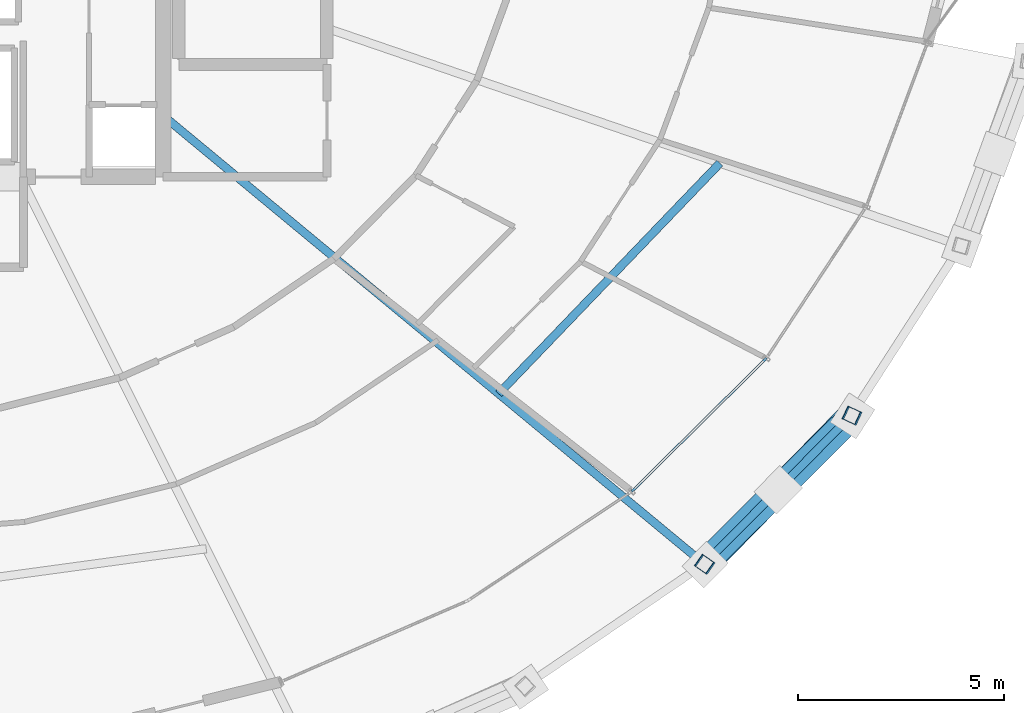
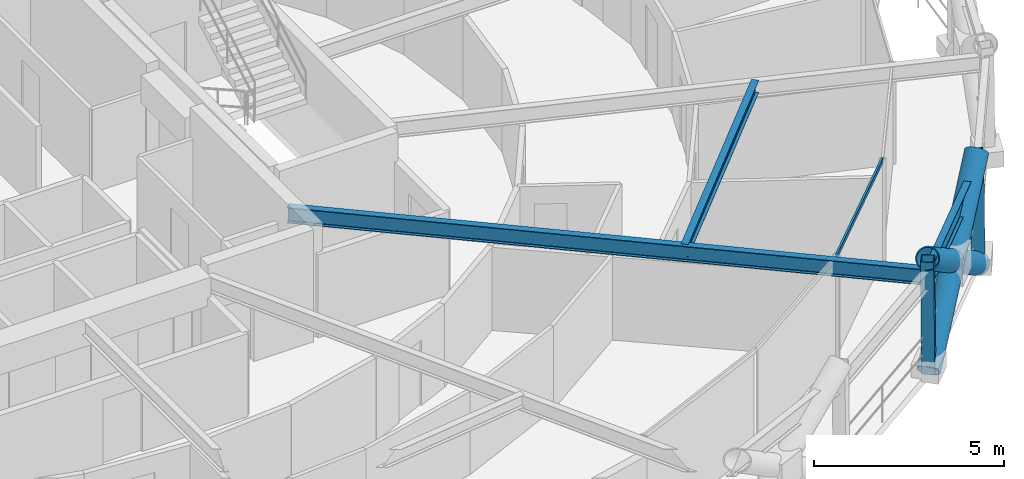
# One storey, part 9 of 23: 6 members, 3 beams, 1 element without a shape of its own.
"""IFC4 building model written with IfcOpenShell, lengths in metres."""

from ifc_helpers import new_model, si_unit, direction, frame, origin, origin_2d, place, context, subcontext, project, spatial, hollow_rectangle, hollow_circle, i_section, extrude, material, layer, layer_set, material_profile, profile_set, type_object, element, aggregate, save


model = new_model("IFC4")

# Units and contexts
model_context = context("Model", 3, precision=1e-05, world=origin(), true_north=direction((0.0, 1.0)))
body_context = subcontext(model_context, "Body", "Model", "MODEL_VIEW")
ifc_project = project(units=[si_unit("LENGTHUNIT", "METRE"), si_unit("AREAUNIT", "SQUARE_METRE"), si_unit("VOLUMEUNIT", "CUBIC_METRE"), si_unit("PLANEANGLEUNIT", "RADIAN"), si_unit("MASSUNIT", "GRAM", prefix="KILO")], contexts=[model_context])

# Site, building, storey
site_placement = place(None, origin())
site = spatial("IfcSite", under=ifc_project, at=site_placement, CompositionType="ELEMENT")
building_placement = place(site_placement, origin())
building = spatial("IfcBuilding", under=site, at=building_placement, Name="Veldorina Hangang Commons", CompositionType="ELEMENT")
storey_placement = place(building_placement, frame((0.0, 0.0, 102.39990234375)))
storey = spatial("IfcBuildingStorey", under=building, at=storey_placement, Name="L26", CompositionType="ELEMENT", Elevation=102.39990234375)

# Beams
ifc_material_1 = material(Name="Steel SM420-TMC", Category="steel")
ifc_material_profile_1 = material_profile(ifc_material_1, i_section(OverallWidth=0.199951171875, OverallDepth=0.5, WebThickness=0.010009765625, FlangeThickness=0.01611328125, FilletRadius=0.01611328125, at=origin_2d()), Name="H-500x200x10x16")
ifc_profile_set_1 = profile_set([ifc_material_profile_1], Name="Steel SM420-TMC")
beam_type_1 = type_object("IfcBeamType", Name="BM-FG500", PredefinedType="BEAM", material=ifc_profile_set_1)
beam_1_placement = place(storey_placement, frame((39.199951171875, 18.03466796875, 3.050048828125), z_axis=(0.770039411269, -0.637996320595, 0.0), x_axis=(0.637996320595, 0.770039411269, 0.0)))
element("IfcBeam", 1, at=beam_1_placement, inside=storey, type_object=beam_type_1, Name="L26 radial floor girder 15", PredefinedType="BEAM", context=body_context, shape_type="SweptSolid", body=[
    extrude(i_section(OverallWidth=0.199951171875, OverallDepth=0.5, WebThickness=0.010009765625, FlangeThickness=0.01611328125, FilletRadius=0.01611328125, at=origin_2d()), origin(), (0.0, 0.0, 1.0), 17.086181640625),
])
ifc_material_2 = material(Name="Steel SM355-TMC", Category="steel")
ifc_material_profile_2 = material_profile(ifc_material_2, i_section(OverallWidth=0.199951171875, OverallDepth=0.39990234375, WebThickness=0.008056640625, FlangeThickness=0.012939453125, FilletRadius=0.012939453125, at=origin_2d()), Name="H-400x200x8x13")
ifc_profile_set_2 = profile_set([ifc_material_profile_2], Name="Steel SM355-TMC")
beam_type_2 = type_object("IfcBeamType", Name="BM-JST400", PredefinedType="JOIST", material=ifc_profile_set_2)
beam_2_placement = place(storey_placement, frame((47.357421875, 11.276123046875, 3.10009765625), z_axis=(0.692459890896, 0.721456373941, 0.0), x_axis=(-0.721456373941, 0.692459890896, 0.0)))
element("IfcBeam", 2, at=beam_2_placement, inside=storey, type_object=beam_type_2, Name="L26 secondary floor joist 15", PredefinedType="JOIST", context=body_context, shape_type="SweptSolid", body=[
    extrude(i_section(OverallWidth=0.199951171875, OverallDepth=0.39990234375, WebThickness=0.008056640625, FlangeThickness=0.012939453125, FilletRadius=0.012939453125, at=origin_2d()), origin(), (0.0, 0.0, 1.0), 7.771240234375),
])
ifc_material_profile_3 = material_profile(ifc_material_1, i_section(OverallWidth=0.199951171875, OverallDepth=0.60009765625, WebThickness=0.010986328125, FlangeThickness=0.01708984375, FilletRadius=0.01806640625, at=origin_2d()), Name="H-600x200x11x17")
ifc_profile_set_3 = profile_set([ifc_material_profile_3], Name="Steel SM420-TMC")
beam_type_3 = type_object("IfcBeamType", Name="BM-RB600", PredefinedType="BEAM", material=ifc_profile_set_3)
beam_3_placement = place(storey_placement, frame((52.35693359375, 7.1337890625, 3.0), z_axis=(0.703739663075, 0.710457941482, 0.0), x_axis=(-0.710457941482, 0.703739663075, 0.0)))
element("IfcBeam", 3, at=beam_3_placement, inside=storey, type_object=beam_type_3, Name="L26 perimeter hoop ring beam 28", PredefinedType="BEAM", context=body_context, shape_type="SweptSolid", body=[
    extrude(i_section(OverallWidth=0.199951171875, OverallDepth=0.60009765625, WebThickness=0.010986328125, FlangeThickness=0.01708984375, FilletRadius=0.01806640625, at=origin_2d()), origin(), (0.0, 0.0, 1.0), 5.087646484375),
])

# Curtain wall, member
ifc_material_3 = material(Name="Glass Low-E Triple IGU", Category="glass")
ifc_layer = layer(ifc_material_3, 0.179931640625)
ifc_layer_set = layer_set([ifc_layer], Name="Glass Low-E Triple IGU")
curtain_wall_type = type_object("IfcCurtainWallType", Name="CW-SYS-Z1", PredefinedType="NOTDEFINED", material=ifc_layer_set)
curtain_wall_placement = place(storey_placement, origin())
curtain_wall = element("IfcCurtainWall", 4, at=curtain_wall_placement, inside=storey, type_object=curtain_wall_type, Name="L26 unitised curtain wall CW-L26-R2", PredefinedType="NOTDEFINED")
ifc_material_4 = material(Name="Aluminium Anodized AA6063-T6", Category="aluminium")
ifc_material_profile_4 = material_profile(ifc_material_4, hollow_rectangle(XDim=0.06005859375, YDim=0.139892578125, WallThickness=0.00341796875, at=origin_2d()), Name="ALU-RHS-140x60x3.5")
ifc_profile_set_4 = profile_set([ifc_material_profile_4], Name="Aluminium Anodized AA6063-T6")
member_type_1 = type_object("IfcMemberType", Name="CW-TRN-140", PredefinedType="USERDEFINED", material=ifc_profile_set_4)
member_1_placement = place(storey_placement, frame((50.5966796875, 8.900634765625, 3.22021484375), z_axis=(0.710864388568, 0.703329098692, 0.0), x_axis=(-0.703329098692, 0.710864388568, 0.0)))
member_1 = element("IfcMember", 5, at=member_1_placement, type_object=member_type_1, Name="CW-L26-R2 facet 3 transom 1", ObjectType="TRANSOM", PredefinedType="USERDEFINED", context=body_context, shape_type="SweptSolid", body=[
    extrude(hollow_rectangle(XDim=0.06005859375, YDim=0.139892578125, WallThickness=0.00341796875, at=origin_2d()), origin(), (0.0, 0.0, 1.0), 4.600830078125),
])
aggregate(curtain_wall, [member_1])

# Members
ifc_material_5 = material(Name="Steel SM460-TMC", Category="steel")
ifc_material_profile_5 = material_profile(ifc_material_5, hollow_circle(Radius=0.324951171875, WallThickness=0.031982421875, at=origin_2d()), Name="CHS-650x32")
ifc_profile_set_5 = profile_set([ifc_material_profile_5], Name="Steel SM460-TMC")
member_type_2 = type_object("IfcMemberType", Name="DG-CHS650", PredefinedType="BRACE", material=ifc_profile_set_5)
member_2_placement = place(storey_placement, frame((52.37841796875, 7.11865234375, 0.0), z_axis=(0.570649451496, 0.583233847891, 0.578098159642), x_axis=(-0.714776068932, 0.699353395132, 0.0)))
element("IfcMember", 6, at=member_2_placement, inside=storey, type_object=member_type_2, Name="L26 continuous perimeter diagrid brace 28", PredefinedType="BRACE", context=body_context, shape_type="SweptSolid", body=[
    extrude(hollow_circle(Radius=0.324951171875, WallThickness=0.031982421875, at=origin_2d()), origin(), (0.0, 0.0, 1.0), 6.2275390625),
])
member_3_placement = place(storey_placement, frame((55.962646484375, 10.736572265625, 0.0), z_axis=(-0.578496420704, -0.576698148278, 0.576854519793), x_axis=(0.706005184248, -0.708206664622, 0.0)))
element("IfcMember", 7, at=member_3_placement, inside=storey, type_object=member_type_2, Name="L26 split perimeter diagrid lower brace 29", PredefinedType="BRACE", context=body_context, shape_type="SweptSolid", body=[
    extrude(hollow_circle(Radius=0.324951171875, WallThickness=0.031982421875, at=origin_2d()), origin(), (0.0, 0.0, 1.0), 3.12255859375),
])
member_4_placement = place(storey_placement, frame((54.15625, 8.935791015625, 1.80126953125), z_axis=(-0.578367521204, -0.576880111499, 0.576801826777), x_axis=(0.706195778499, -0.708016611691, 0.0)))
element("IfcMember", 8, at=member_4_placement, inside=storey, type_object=member_type_2, Name="L26 split perimeter diagrid upper brace 29", PredefinedType="BRACE", context=body_context, shape_type="SweptSolid", body=[
    extrude(hollow_circle(Radius=0.324951171875, WallThickness=0.031982421875, at=origin_2d()), origin(), (0.0, 0.0, 1.0), 3.11865234375),
])
ifc_material_profile_6 = material_profile(ifc_material_2, hollow_rectangle(XDim=0.35009765625, YDim=0.35009765625, WallThickness=0.01611328125, at=origin_2d()), Name="SHS-350x350x16")
ifc_profile_set_6 = profile_set([ifc_material_profile_6], Name="Steel SM355-TMC")
member_type_3 = type_object("IfcMemberType", Name="STR-SHS350", PredefinedType="STRUT", material=ifc_profile_set_6)
for number, where, z_axis, x_axis, name in (
    (9, (52.37841796875, 7.11865234375, 0.0), (-0.007188113851, 0.005018117217, 0.999961574021), (-0.572423567845, -0.81995808367, 0.0), "L26 perimeter ring node post 28"),
    (10, (55.962646484375, 10.736572265625, 0.0), (-0.008476504975, 0.003933098308, 0.999956338847), (-0.420898081622, -0.90710793453, 0.0), "L26 perimeter ring node post 29"),
):
    element("IfcMember", number, at=place(storey_placement, frame(where, z_axis=z_axis, x_axis=x_axis)), inside=storey, type_object=member_type_3, Name=name, PredefinedType="STRUT", context=body_context, shape_type="SweptSolid", body=[
        extrude(hollow_rectangle(XDim=0.35009765625, YDim=0.35009765625, WallThickness=0.01611328125, at=origin_2d()), origin(), (0.0, 0.0, 1.0), 3.600341796875),
    ])

save(model, "model.ifc")
